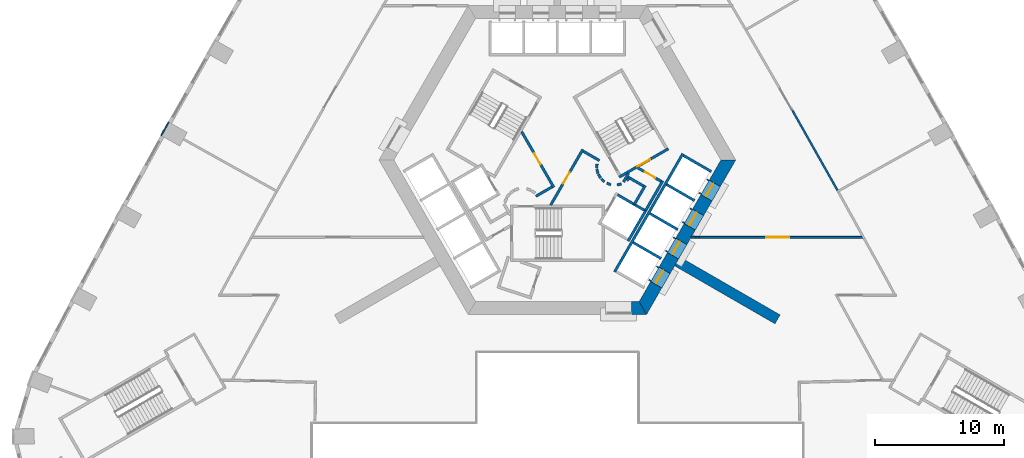
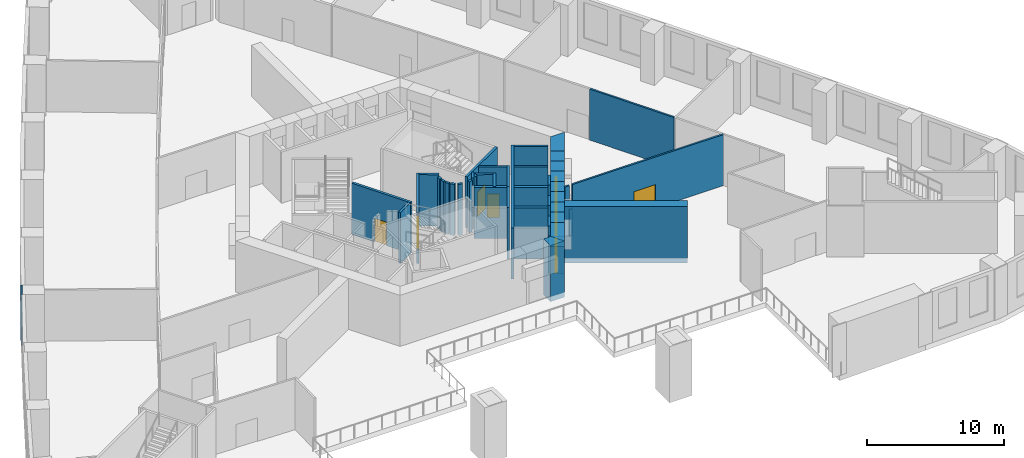
# One storey, part 4 of 16: 44 walls, 9 doors, 9 openings.
"""IFC4 building model written with IfcOpenShell, lengths in metres."""

from ifc_helpers import new_model, si_unit, direction, frame, frame_2d, origin, place, context, subcontext, project, spatial, polyline, rectangle, outline, extrude, material, layer, layer_set, type_object, element, fill, save


model = new_model("IFC4")

# Units and contexts
model_context = context("Model", 3, precision=1e-05, world=origin(), true_north=direction((0.0, 1.0)))
body_context = subcontext(model_context, "Body", "Model", "MODEL_VIEW")
ifc_project = project(units=[si_unit("LENGTHUNIT", "METRE"), si_unit("AREAUNIT", "SQUARE_METRE"), si_unit("VOLUMEUNIT", "CUBIC_METRE"), si_unit("PLANEANGLEUNIT", "RADIAN"), si_unit("MASSUNIT", "GRAM", prefix="KILO")], contexts=[model_context])

# Site, building, storey
site_placement = place(None, origin())
site = spatial("IfcSite", under=ifc_project, at=site_placement, CompositionType="ELEMENT")
building_placement = place(site_placement, origin())
building = spatial("IfcBuilding", under=site, at=building_placement, Name="Entoto Arch Interchange Tower", CompositionType="ELEMENT")
storey_placement = place(building_placement, frame((0.0, 0.0, 25.0)))
storey = spatial("IfcBuildingStorey", under=building, at=storey_placement, Name="L04", CompositionType="ELEMENT", Elevation=25.0)

# Walls
ifc_material_1 = material(Name="Concrete C60/75", Category="concrete")
ifc_layer_1 = layer(ifc_material_1, 0.800048828125)
ifc_layer_set_1 = layer_set([ifc_layer_1], Name="Concrete C60/75")
wall_type_1 = type_object("IfcWallType", Name="Buttress wall 800 C60/75", PredefinedType="SHEAR", material=ifc_layer_set_1)
wall_1_placement = place(storey_placement, frame((9.31005859375, -5.375, -0.449951171875), z_axis=(0.0, 0.0, 1.0), x_axis=(0.866017533419, -0.500013631625, 0.0)))
element("IfcWall", 1, at=wall_1_placement, inside=storey, type_object=wall_type_1, Name="Buttress wall SE L04", PredefinedType="SHEAR", context=body_context, shape_type="SweptSolid", body=[
    extrude(rectangle(XDim=8.999755859375, YDim=0.800048828125, at=frame_2d((4.5, 0.0))), origin(), (0.0, 0.0, 1.0), 5.0),
])
ifc_layer_2 = layer(ifc_material_1, 1.0)
ifc_layer_set_2 = layer_set([ifc_layer_2], Name="Concrete C60/75")
wall_type_2 = type_object("IfcWallType", Name="Core wall 1000 C60/75", PredefinedType="SHEAR", material=ifc_layer_set_2)
wall_2_placement = place(storey_placement, frame((0.0, 0.0, -0.449951171875)))
element("IfcWall", 2, at=wall_2_placement, inside=storey, type_object=wall_type_2, Name="Core wall S L04", PredefinedType="SHEAR", context=body_context, shape_type="SweptSolid", body=[
    extrude(outline(polyline([(5.75, -8.5), (5.75, -9.5), (6.927978515625, -9.5), (6.35107421875, -8.5), (5.75, -8.5)])), origin(), (0.0, 0.0, 1.0), 5.0),
])
wall_3_placement = place(storey_placement, frame((0.0, 0.0, -0.449951171875)))
element("IfcWall", 3, at=wall_3_placement, inside=storey, type_object=wall_type_2, Name="Core wall SE L04", PredefinedType="SHEAR", context=body_context, shape_type="SweptSolid", body=[
    extrude(outline(polyline([(8.116943359375, -7.43994140625), (7.251953125, -6.93994140625), (6.35107421875, -8.5), (6.927978515625, -9.5), (8.116943359375, -7.43994140625)])), origin(), (0.0, 0.0, 1.0), 5.0),
])
wall_4_placement = place(storey_placement, frame((0.0, 0.0, -0.449951171875)))
element("IfcWall", 4, at=wall_4_placement, inside=storey, type_object=wall_type_2, Name="Core wall SE L04", PredefinedType="SHEAR", context=body_context, shape_type="SweptSolid", body=[
    extrude(outline(polyline([(9.4169921875, -5.18896484375), (8.551025390625, -4.68896484375), (7.902099609375, -5.81396484375), (8.76708984375, -6.31396484375), (9.4169921875, -5.18896484375)])), origin(), (0.0, 0.0, 1.0), 5.0),
])
wall_5_placement = place(storey_placement, frame((0.0, 0.0, -0.449951171875)))
element("IfcWall", 5, at=wall_5_placement, inside=storey, type_object=wall_type_2, Name="Core wall SE L04", PredefinedType="SHEAR", context=body_context, shape_type="SweptSolid", body=[
    extrude(outline(polyline([(10.717041015625, -2.93701171875), (9.85107421875, -2.43701171875), (9.200927734375, -3.56298828125), (10.06689453125, -4.06298828125), (10.717041015625, -2.93701171875)])), origin(), (0.0, 0.0, 1.0), 5.0),
])
wall_6_placement = place(storey_placement, frame((0.0, 0.0, -0.449951171875)))
element("IfcWall", 6, at=wall_6_placement, inside=storey, type_object=wall_type_2, Name="Core wall SE L04", PredefinedType="SHEAR", context=body_context, shape_type="SweptSolid", body=[
    extrude(outline(polyline([(12.01708984375, -0.68603515625), (11.15087890625, -0.18603515625), (10.5009765625, -1.31103515625), (11.366943359375, -1.81103515625), (12.01708984375, -0.68603515625)])), origin(), (0.0, 0.0, 1.0), 5.0),
])
wall_7_placement = place(storey_placement, frame((0.0, 0.0, -0.449951171875)))
element("IfcWall", 7, at=wall_7_placement, inside=storey, type_object=wall_type_2, Name="Core wall SE L04", PredefinedType="SHEAR", context=body_context, shape_type="SweptSolid", body=[
    extrude(outline(polyline([(11.801025390625, 0.93994140625), (12.6669921875, 0.43994140625), (13.85595703125, 2.5), (12.701904296875, 2.5), (11.801025390625, 0.93994140625)])), origin(), (0.0, 0.0, 1.0), 5.0),
])
wall_8_placement = place(storey_placement, frame((0.0, 0.0, 3.60009765625)))
element("IfcWall", 8, at=wall_8_placement, inside=storey, type_object=wall_type_2, Name="Core wall lintel SE L04", PredefinedType="SHEAR", context=body_context, shape_type="SweptSolid", body=[
    extrude(outline(polyline([(8.76708984375, -6.31396484375), (7.902099609375, -5.81396484375), (7.251953125, -6.93994140625), (8.116943359375, -7.43994140625), (8.76708984375, -6.31396484375)])), origin(), (0.0, 0.0, 1.0), 0.949951171875),
])
wall_9_placement = place(storey_placement, frame((0.0, 0.0, 3.60009765625)))
element("IfcWall", 9, at=wall_9_placement, inside=storey, type_object=wall_type_2, Name="Core wall lintel SE L04", PredefinedType="SHEAR", context=body_context, shape_type="SweptSolid", body=[
    extrude(outline(polyline([(10.06689453125, -4.06298828125), (9.200927734375, -3.56298828125), (8.551025390625, -4.68896484375), (9.4169921875, -5.18896484375), (10.06689453125, -4.06298828125)])), origin(), (0.0, 0.0, 1.0), 0.949951171875),
])
wall_10_placement = place(storey_placement, frame((0.0, 0.0, 3.60009765625)))
element("IfcWall", 10, at=wall_10_placement, inside=storey, type_object=wall_type_2, Name="Core wall lintel SE L04", PredefinedType="SHEAR", context=body_context, shape_type="SweptSolid", body=[
    extrude(outline(polyline([(11.366943359375, -1.81103515625), (10.5009765625, -1.31103515625), (9.85107421875, -2.43701171875), (10.717041015625, -2.93701171875), (11.366943359375, -1.81103515625)])), origin(), (0.0, 0.0, 1.0), 0.949951171875),
])
wall_11_placement = place(storey_placement, frame((0.0, 0.0, 3.60009765625)))
element("IfcWall", 11, at=wall_11_placement, inside=storey, type_object=wall_type_2, Name="Core wall lintel SE L04", PredefinedType="SHEAR", context=body_context, shape_type="SweptSolid", body=[
    extrude(outline(polyline([(12.6669921875, 0.43994140625), (11.801025390625, 0.93994140625), (11.15087890625, -0.18603515625), (12.01708984375, -0.68603515625), (12.6669921875, 0.43994140625)])), origin(), (0.0, 0.0, 1.0), 0.949951171875),
])

# Wall, opening, door
ifc_material_2 = material(Name="Concrete C40/50", Category="concrete")
ifc_layer_3 = layer(ifc_material_2, 1.199951171875)
ifc_layer_set_3 = layer_set([ifc_layer_3], Name="Concrete C40/50")
wall_type_3 = type_object("IfcWallType", Name="LIFT LANDING INFILL WALL", PredefinedType="STANDARD", material=ifc_layer_set_3)
wall_12_placement = place(storey_placement, frame((7.597900390625, -7.139892578125, 0.0), z_axis=(0.0, 0.0, 1.0), x_axis=(0.500362116554, 0.865816234728, 0.0)))
wall_12 = element("IfcWall", 12, at=wall_12_placement, inside=storey, type_object=wall_type_3, Name="Lift landing infill wall LR5 L04", PredefinedType="STANDARD", context=body_context, shape_type="SweptSolid", body=[
    extrude(rectangle(XDim=1.29931640625, YDim=1.199951171875, at=frame_2d((0.649658203125, 0.0))), origin(), (0.0, 0.0, 1.0), 2.39990234375),
])
opening_1_placement = place(wall_12_placement, frame((0.10009765625, 0.0, 0.0)))
opening_1 = element("IfcOpeningElement", 13, at=opening_1_placement, cuts=wall_12, Name="Opening LD-LR5-L04", PredefinedType="OPENING", context=body_context, shape_type="SweptSolid", body=[
    extrude(rectangle(XDim=1.10009765625, YDim=2.300048828125, at=frame_2d((0.550048828125, 1.14990234375))), frame((0.0, 0.60986328125, 0.0), z_axis=(0.0, -1.0, 0.0), x_axis=(1.0, 0.0, 0.0)), (0.0, 0.0, 1.0), 1.219970703125),
])
ifc_material_3 = material(Name="Stainless steel 1.4301 panels", Category="steel")
door_type_1 = type_object("IfcDoorType", Name="LIFT LANDING DOOR LD2 1100x2300", OperationType="SLIDING_TO_LEFT", PredefinedType="DOOR", material=ifc_material_3)
door_1_placement = place(opening_1_placement, origin())
door_1 = element("IfcDoor", 14, at=door_1_placement, inside=storey, type_object=door_type_1, Name="Lift landing door LR5 L04", OperationType="SLIDING_TO_LEFT", OverallHeight=2.300048828125, OverallWidth=1.10009765625, PredefinedType="DOOR", context=body_context, shape_type="SweptSolid", body=[
    extrude(rectangle(XDim=1.10009765625, YDim=2.300048828125, at=frame_2d((0.550048828125, 1.14990234375))), frame((0.0, 0.02490234375, 0.0), z_axis=(0.0, -1.0, 0.0), x_axis=(1.0, 0.0, 0.0)), (0.0, 0.0, 1.0), 0.050048828125),
])
fill(opening_1, door_1)

wall_13_placement = place(storey_placement, frame((8.89794921875, -4.888916015625, 0.0), z_axis=(0.0, 0.0, 1.0), x_axis=(0.500036693733, 0.866004217611, 0.0)))
wall_13 = element("IfcWall", 15, at=wall_13_placement, inside=storey, type_object=wall_type_3, Name="Lift landing infill wall LR6 L04", PredefinedType="STANDARD", context=body_context, shape_type="SweptSolid", body=[
    extrude(rectangle(XDim=1.30029296875, YDim=1.199951171875, at=frame_2d((0.650146484375, 0.0))), origin(), (0.0, 0.0, 1.0), 2.39990234375),
])
opening_2_placement = place(wall_13_placement, frame((0.10009765625, 0.0, 0.0)))
opening_2 = element("IfcOpeningElement", 16, at=opening_2_placement, cuts=wall_13, Name="Opening LD-LR6-L04", PredefinedType="OPENING", context=body_context, shape_type="SweptSolid", body=[
    extrude(rectangle(XDim=1.10009765625, YDim=2.300048828125, at=frame_2d((0.550048828125, 1.14990234375))), frame((0.0, 0.60986328125, 0.0), z_axis=(0.0, -1.0, 0.0), x_axis=(1.0, 0.0, 0.0)), (0.0, 0.0, 1.0), 1.219970703125),
])
door_2_placement = place(opening_2_placement, origin())
door_2 = element("IfcDoor", 17, at=door_2_placement, inside=storey, type_object=door_type_1, Name="Lift landing door LR6 L04", OperationType="SLIDING_TO_LEFT", OverallHeight=2.300048828125, OverallWidth=1.10009765625, PredefinedType="DOOR", context=body_context, shape_type="SweptSolid", body=[
    extrude(rectangle(XDim=1.10009765625, YDim=2.300048828125, at=frame_2d((0.550048828125, 1.14990234375))), frame((0.0, 0.02490234375, 0.0), z_axis=(0.0, -1.0, 0.0), x_axis=(1.0, 0.0, 0.0)), (0.0, 0.0, 1.0), 0.050048828125),
])
fill(opening_2, door_2)

wall_14_placement = place(storey_placement, frame((10.197998046875, -2.636962890625, 0.0), z_axis=(0.0, 0.0, 1.0), x_axis=(0.49989585183, 0.866085525409, 0.0)))
wall_14 = element("IfcWall", 18, at=wall_14_placement, inside=storey, type_object=wall_type_3, Name="Lift landing infill wall LR7 L04", PredefinedType="STANDARD", context=body_context, shape_type="SweptSolid", body=[
    extrude(rectangle(XDim=1.300048828125, YDim=1.199951171875, at=frame_2d((0.64990234375, 0.0))), origin(), (0.0, 0.0, 1.0), 2.39990234375),
])
opening_3_placement = place(wall_14_placement, frame((0.10009765625, 0.0, 0.0)))
opening_3 = element("IfcOpeningElement", 19, at=opening_3_placement, cuts=wall_14, Name="Opening LD-LR7-L04", PredefinedType="OPENING", context=body_context, shape_type="SweptSolid", body=[
    extrude(rectangle(XDim=1.10009765625, YDim=2.300048828125, at=frame_2d((0.550048828125, 1.14990234375))), frame((0.0, 0.60986328125, 0.0), z_axis=(0.0, -1.0, 0.0), x_axis=(1.0, 0.0, 0.0)), (0.0, 0.0, 1.0), 1.219970703125),
])
door_3_placement = place(opening_3_placement, origin())
door_3 = element("IfcDoor", 20, at=door_3_placement, inside=storey, type_object=door_type_1, Name="Lift landing door LR7 L04", OperationType="SLIDING_TO_LEFT", OverallHeight=2.300048828125, OverallWidth=1.10009765625, PredefinedType="DOOR", context=body_context, shape_type="SweptSolid", body=[
    extrude(rectangle(XDim=1.10009765625, YDim=2.300048828125, at=frame_2d((0.550048828125, 1.14990234375))), frame((0.0, 0.02490234375, 0.0), z_axis=(0.0, -1.0, 0.0), x_axis=(1.0, 0.0, 0.0)), (0.0, 0.0, 1.0), 0.050048828125),
])
fill(opening_3, door_3)

wall_15_placement = place(storey_placement, frame((11.498046875, -0.385009765625, 0.0), z_axis=(0.0, 0.0, 1.0), x_axis=(0.500221244143, 0.865897630733, 0.0)))
wall_15 = element("IfcWall", 21, at=wall_15_placement, inside=storey, type_object=wall_type_3, Name="Lift landing infill wall LR8 L04", PredefinedType="STANDARD", context=body_context, shape_type="SweptSolid", body=[
    extrude(rectangle(XDim=1.29931640625, YDim=1.199951171875, at=frame_2d((0.649658203125, 0.0))), origin(), (0.0, 0.0, 1.0), 2.39990234375),
])
opening_4_placement = place(wall_15_placement, frame((0.10009765625, 0.0, 0.0)))
opening_4 = element("IfcOpeningElement", 22, at=opening_4_placement, cuts=wall_15, Name="Opening LD-LR8-L04", PredefinedType="OPENING", context=body_context, shape_type="SweptSolid", body=[
    extrude(rectangle(XDim=1.10009765625, YDim=2.300048828125, at=frame_2d((0.550048828125, 1.14990234375))), frame((0.0, 0.60986328125, 0.0), z_axis=(0.0, -1.0, 0.0), x_axis=(1.0, 0.0, 0.0)), (0.0, 0.0, 1.0), 1.219970703125),
])
door_4_placement = place(opening_4_placement, origin())
door_4 = element("IfcDoor", 23, at=door_4_placement, inside=storey, type_object=door_type_1, Name="Lift landing door LR8 L04", OperationType="SLIDING_TO_LEFT", OverallHeight=2.300048828125, OverallWidth=1.10009765625, PredefinedType="DOOR", context=body_context, shape_type="SweptSolid", body=[
    extrude(rectangle(XDim=1.10009765625, YDim=2.300048828125, at=frame_2d((0.550048828125, 1.14990234375))), frame((0.0, 0.02490234375, 0.0), z_axis=(0.0, -1.0, 0.0), x_axis=(1.0, 0.0, 0.0)), (0.0, 0.0, 1.0), 0.050048828125),
])
fill(opening_4, door_4)

# Walls
ifc_layer_4 = layer(ifc_material_2, 0.199951171875)
ifc_layer_set_4 = layer_set([ifc_layer_4], Name="Concrete C40/50")
wall_type_4 = type_object("IfcWallType", Name="LIFT SHAFT WALL 200", PredefinedType="STANDARD", material=ifc_layer_set_4)
wall_16_placement = place(storey_placement, frame((5.491943359375, -3.7880859375, 0.0), z_axis=(0.0, 0.0, 1.0), x_axis=(0.500011755427, 0.866018616679, 0.0)))
element("IfcWall", 24, at=wall_16_placement, inside=storey, type_object=wall_type_4, Name="Shaft wall SE1 back", PredefinedType="STANDARD", context=body_context, shape_type="SweptSolid", body=[
    extrude(rectangle(XDim=2.80029296875, YDim=0.199951171875, at=frame_2d((1.400146484375, 0.0))), origin(), (0.0, 0.0, 1.0), 4.550048828125),
])
wall_17_placement = place(storey_placement, frame((4.677001953125, -0.199951171875, 0.0), z_axis=(0.0, 0.0, 1.0), x_axis=(0.865973769406, -0.500089422704, 0.0)))
element("IfcWall", 25, at=wall_17_placement, inside=storey, type_object=wall_type_4, Name="Shaft wall SE1 cross 2", PredefinedType="STANDARD", context=body_context, shape_type="SweptSolid", body=[
    extrude(rectangle(XDim=2.3994140625, YDim=0.199951171875, at=frame_2d((1.19970703125, 0.0))), origin(), (0.0, 0.0, 1.0), 4.550048828125),
])
wall_18_placement = place(storey_placement, frame((4.450927734375, -6.18994140625, 0.0), z_axis=(0.0, 0.0, 1.0), x_axis=(0.50000090737, 0.866024879913, 0.0)))
element("IfcWall", 26, at=wall_18_placement, inside=storey, type_object=wall_type_4, Name="Shaft wall SE3 front", PredefinedType="STANDARD", context=body_context, shape_type="SweptSolid", body=[
    extrude(rectangle(XDim=10.60009765625, YDim=0.199951171875, at=frame_2d((5.300048828125, 0.0))), origin(), (0.0, 0.0, 1.0), 4.550048828125),
])
for number, where, z_axis, x_axis, name in (
    (27, (5.887939453125, -3.902099609375, 0.0), (0.0, 0.0, 1.0), (0.866022959057, -0.500004234368, 0.0), "Shaft wall SE3 cross 2"),
    (28, (7.18798828125, -1.64990234375, 0.0), (0.0, 0.0, 1.0), (0.866022959057, -0.500004234368, 0.0), "Shaft wall SE3 cross 3"),
    (29, (8.488037109375, 0.60205078125, 0.0), (0.0, 0.0, 1.0), (0.866022959057, -0.500004234368, 0.0), "Shaft wall SE3 cross 4"),
):
    element("IfcWall", number, at=place(storey_placement, frame(where, z_axis=z_axis, x_axis=x_axis)), inside=storey, type_object=wall_type_4, Name=name, PredefinedType="STANDARD", context=body_context, shape_type="SweptSolid", body=[
        extrude(rectangle(XDim=2.5, YDim=0.199951171875, at=frame_2d((1.25, 0.0))), origin(), (0.0, 0.0, 1.0), 4.550048828125),
    ])
wall_19_placement = place(storey_placement, frame((9.7880859375, 2.85302734375, 0.0), z_axis=(0.0, 0.0, 1.0), x_axis=(0.865998541277, -0.500046524342, 0.0)))
element("IfcWall", 30, at=wall_19_placement, inside=storey, type_object=wall_type_4, Name="Shaft wall SE3 cross 5", PredefinedType="STANDARD", context=body_context, shape_type="SweptSolid", body=[
    extrude(rectangle(XDim=2.499755859375, YDim=0.199951171875, at=frame_2d((1.25, 0.0))), origin(), (0.0, 0.0, 1.0), 4.550048828125),
])
ifc_material_4 = material(Name="Gypsum board partition on steel studs", Category="steel")
ifc_layer_5 = layer(ifc_material_4, 0.14990234375)
ifc_layer_set_5 = layer_set([ifc_layer_5], Name="Gypsum board partition on steel studs")
wall_type_5 = type_object("IfcWallType", Name="PARTITION 150", PredefinedType="PARTITIONING", material=ifc_layer_set_5)
wall_20_placement = place(storey_placement, frame((21.763916015625, 0.14599609375, 0.0), z_axis=(0.0, 0.0, 1.0), x_axis=(-0.491550482328, 0.87084908183, 0.0)))
element("IfcWall", 31, at=wall_20_placement, inside=storey, type_object=wall_type_5, Name="wall:L04:p054", PredefinedType="PARTITIONING", context=body_context, shape_type="SweptSolid", body=[
    extrude(rectangle(XDim=7.144775390625, YDim=0.14990234375, at=frame_2d((3.572265625, 0.0))), origin(), (0.0, 0.0, 1.0), 4.550048828125),
])
wall_21_placement = place(storey_placement, frame((10.39208984375, -3.5, 0.0), z_axis=(0.0, 0.0, 1.0), x_axis=(1.0, 0.0, 0.0)))
element("IfcWall", 32, at=wall_21_placement, inside=storey, type_object=wall_type_5, Name="wall:L04:p084", PredefinedType="PARTITIONING", context=body_context, shape_type="SweptSolid", body=[
    extrude(rectangle(XDim=0.370849609375, YDim=0.14990234375, at=frame_2d((0.185546875, 0.0))), origin(), (0.0, 0.0, 1.0), 4.550048828125),
])
wall_22_placement = place(storey_placement, frame((10.762939453125, -3.5, 0.0), z_axis=(0.0, 0.0, 1.0), x_axis=(1.0, 0.0, 0.0)))
element("IfcWall", 33, at=wall_22_placement, inside=storey, type_object=wall_type_5, Name="wall:L04:p084", PredefinedType="PARTITIONING", context=body_context, shape_type="SweptSolid", body=[
    extrude(rectangle(XDim=0.2490234375, YDim=0.14990234375, at=frame_2d((0.12451171875, 0.0))), origin(), (0.0, 0.0, 1.0), 2.39990234375),
])

# Wall, opening, door
wall_23_placement = place(storey_placement, frame((11.011962890625, -3.5, 0.0), z_axis=(0.0, 0.0, 1.0), x_axis=(1.0, 0.0, 0.0)))
wall_23 = element("IfcWall", 34, at=wall_23_placement, inside=storey, type_object=wall_type_5, Name="wall:L04:p084", PredefinedType="PARTITIONING", context=body_context, shape_type="SweptSolid", body=[
    extrude(rectangle(XDim=12.76513671875, YDim=0.14990234375, at=frame_2d((6.382568359375, 0.0))), origin(), (0.0, 0.0, 1.0), 4.550048828125),
])
opening_5_placement = place(wall_23_placement, frame((5.2099609375, 0.0, 0.0)))
opening_5 = element("IfcOpeningElement", 35, at=opening_5_placement, cuts=wall_23, Name="Opening L04-D01", PredefinedType="OPENING", context=body_context, shape_type="SweptSolid", body=[
    extrude(rectangle(XDim=1.800048828125, YDim=2.10009765625, at=frame_2d((0.89990234375, 1.050048828125))), frame((0.0, 0.0849609375, 0.0), z_axis=(0.0, -1.0, 0.0), x_axis=(1.0, 0.0, 0.0)), (0.0, 0.0, 1.0), 0.169921875),
])
ifc_material_5 = material(Name="Fire-rated Steel S235 door and frame", Category="steel")
door_type_2 = type_object("IfcDoorType", Name="DOOR FD-18 1800x2100", OperationType="DOUBLE_DOOR_SINGLE_SWING", PredefinedType="DOOR", material=ifc_material_5)
door_5_placement = place(opening_5_placement, origin())
door_5 = element("IfcDoor", 36, at=door_5_placement, inside=storey, type_object=door_type_2, Name="door:L04:01", OperationType="DOUBLE_DOOR_SINGLE_SWING", OverallHeight=2.10009765625, OverallWidth=1.800048828125, PredefinedType="DOOR", context=body_context, shape_type="SweptSolid", body=[
    extrude(rectangle(XDim=1.800048828125, YDim=2.10009765625, at=frame_2d((0.89990234375, 1.050048828125))), frame((0.0, 0.02490234375, 0.0), z_axis=(0.0, -1.0, 0.0), x_axis=(1.0, 0.0, 0.0)), (0.0, 0.0, 1.0), 0.050048828125),
])
fill(opening_5, door_5)

# Walls
ifc_layer_6 = layer(ifc_material_4, 0.199951171875)
ifc_layer_set_6 = layer_set([ifc_layer_6], Name="Gypsum board partition on steel studs")
wall_type_6 = type_object("IfcWallType", Name="PARTITION 200", PredefinedType="PARTITIONING", material=ifc_layer_set_6)
wall_24_placement = place(storey_placement, frame((5.389892578125, 0.89794921875, 0.0), z_axis=(0.0, 0.0, 1.0), x_axis=(0.673828488714, 0.738887791073, 0.0)))
element("IfcWall", 37, at=wall_24_placement, inside=storey, type_object=wall_type_6, Name="wall:L04:p001", PredefinedType="PARTITIONING", context=body_context, shape_type="SweptSolid", body=[
    extrude(rectangle(XDim=0.2626953125, YDim=0.199951171875, at=frame_2d((0.13134765625, 0.0))), origin(), (0.0, 0.0, 1.0), 4.550048828125),
])
wall_25_placement = place(storey_placement, frame((5.4990234375, 1.172119140625, 0.0), z_axis=(0.0, 0.0, 1.0), x_axis=(0.866333505267, -0.499465972466, 0.0)))
element("IfcWall", 38, at=wall_25_placement, inside=storey, type_object=wall_type_6, Name="wall:L04:p002", PredefinedType="PARTITIONING", context=body_context, shape_type="SweptSolid", body=[
    extrude(rectangle(XDim=1.37353515625, YDim=0.199951171875, at=frame_2d((0.686767578125, 0.0))), origin(), (0.0, 0.0, 1.0), 4.550048828125),
])
wall_26_placement = place(storey_placement, frame((6.825927734375, 0.52197265625, 0.0), z_axis=(0.0, 0.0, 1.0), x_axis=(-0.500016722714, -0.866015748706, 0.0)))
element("IfcWall", 39, at=wall_26_placement, inside=storey, type_object=wall_type_6, Name="wall:L04:p003", PredefinedType="PARTITIONING", context=body_context, shape_type="SweptSolid", body=[
    extrude(rectangle(XDim=1.69970703125, YDim=0.199951171875, at=frame_2d((0.849853515625, 0.0))), origin(), (0.0, 0.0, 1.0), 4.550048828125),
])
wall_27_placement = place(storey_placement, frame((8.19189453125, 0.887939453125, 0.0), z_axis=(0.0, 0.0, 1.0), x_axis=(-0.499940625693, -0.866059680843, 0.0)))
element("IfcWall", 40, at=wall_27_placement, inside=storey, type_object=wall_type_6, Name="wall:L04:p004", PredefinedType="PARTITIONING", context=body_context, shape_type="SweptSolid", body=[
    extrude(rectangle(XDim=2.679931640625, YDim=0.199951171875, at=frame_2d((1.33984375, 0.0))), origin(), (0.0, 0.0, 1.0), 4.550048828125),
])
wall_28_placement = place(storey_placement, frame((5.135009765625, 0.79296875, 0.0), z_axis=(0.0, 0.0, 1.0), x_axis=(0.499526442893, 0.866298639529, 0.0)))
element("IfcWall", 41, at=wall_28_placement, inside=storey, type_object=wall_type_6, Name="wall:L04:p005", PredefinedType="PARTITIONING", context=body_context, shape_type="SweptSolid", body=[
    extrude(rectangle(XDim=0.790771484375, YDim=0.199951171875, at=frame_2d((0.3955078125, 0.0))), origin(), (0.0, 0.0, 1.0), 4.550048828125),
])

# Wall, opening, door
wall_29_placement = place(storey_placement, frame((6.25, 1.89404296875, 0.0), z_axis=(0.0, 0.0, 1.0), x_axis=(0.866043184279, -0.499969202016, 0.0)))
wall_29 = element("IfcWall", 42, at=wall_29_placement, inside=storey, type_object=wall_type_6, Name="wall:L04:p006", PredefinedType="PARTITIONING", context=body_context, shape_type="SweptSolid", body=[
    extrude(rectangle(XDim=2.084228515625, YDim=0.199951171875, at=frame_2d((1.0419921875, 0.0))), origin(), (0.0, 0.0, 1.0), 4.550048828125),
])
opening_6_placement = place(wall_29_placement, frame((0.64208984375, 0.0, 0.0)))
opening_6 = element("IfcOpeningElement", 43, at=opening_6_placement, cuts=wall_29, Name="Opening L04-D16", PredefinedType="OPENING", context=body_context, shape_type="SweptSolid", body=[
    extrude(rectangle(XDim=0.89990234375, YDim=2.10009765625, at=frame_2d((0.449951171875, 1.050048828125))), frame((0.0, 0.10986328125, 0.0), z_axis=(0.0, -1.0, 0.0), x_axis=(1.0, 0.0, 0.0)), (0.0, 0.0, 1.0), 0.219970703125),
])
ifc_material_6 = material(Name="Timber door leaf in Steel S235 frame", Category="steel")
door_type_3 = type_object("IfcDoorType", Name="DOOR DS-09 900x2100", OperationType="SINGLE_SWING_LEFT", PredefinedType="DOOR", material=ifc_material_6)
door_6_placement = place(opening_6_placement, origin())
door_6 = element("IfcDoor", 44, at=door_6_placement, inside=storey, type_object=door_type_3, Name="door:L04:16", OperationType="SINGLE_SWING_LEFT", OverallHeight=2.10009765625, OverallWidth=0.89990234375, PredefinedType="DOOR", context=body_context, shape_type="SweptSolid", body=[
    extrude(rectangle(XDim=0.89990234375, YDim=2.10009765625, at=frame_2d((0.449951171875, 1.050048828125))), frame((0.0, 0.02490234375, 0.0), z_axis=(0.0, -1.0, 0.0), x_axis=(1.0, 0.0, 0.0)), (0.0, 0.0, 1.0), 0.050048828125),
])
fill(opening_6, door_6)

# Walls
wall_30_placement = place(storey_placement, frame((3.0791015625, 2.198974609375, 0.0), z_axis=(0.0, 0.0, 1.0), x_axis=(-0.047771483479, -0.998858290933, 0.0)))
element("IfcWall", 45, at=wall_30_placement, inside=storey, type_object=wall_type_6, Name="wall:L04:p016", PredefinedType="PARTITIONING", context=body_context, shape_type="SweptSolid", body=[
    extrude(rectangle(XDim=0.33740234375, YDim=0.199951171875, at=frame_2d((0.168701171875, 0.0))), origin(), (0.0, 0.0, 1.0), 4.550048828125),
])
wall_31_placement = place(storey_placement, frame((3.070068359375, 1.785888671875, 0.0), z_axis=(0.0, 0.0, 1.0), x_axis=(0.242705583207, -0.970099994784, 0.0)))
element("IfcWall", 46, at=wall_31_placement, inside=storey, type_object=wall_type_6, Name="wall:L04:p017", PredefinedType="PARTITIONING", context=body_context, shape_type="SweptSolid", body=[
    extrude(rectangle(XDim=0.337890625, YDim=0.199951171875, at=frame_2d((0.1689453125, 0.0))), origin(), (0.0, 0.0, 1.0), 4.550048828125),
])
for number, where, z_axis, x_axis, name in (
    (47, (3.181884765625, 1.387939453125, 0.0), (0.0, 0.0, 1.0), (0.512474702713, -0.85870232274, 0.0), "wall:L04:p018"),
    (48, (3.404052734375, 1.0390625, 0.0), (0.0, 0.0, 1.0), (0.740267097712, -0.672312891476, 0.0), "wall:L04:p019"),
):
    element("IfcWall", number, at=place(storey_placement, frame(where, z_axis=z_axis, x_axis=x_axis)), inside=storey, type_object=wall_type_6, Name=name, PredefinedType="PARTITIONING", context=body_context, shape_type="SweptSolid", body=[
        extrude(rectangle(XDim=0.337646484375, YDim=0.199951171875, at=frame_2d((0.1689453125, 0.0))), origin(), (0.0, 0.0, 1.0), 4.550048828125),
    ])
wall_32_placement = place(storey_placement, frame((3.837890625, 0.701904296875, 0.0), z_axis=(0.0, 0.0, 1.0), x_axis=(0.941035081519, -0.338308993895, 0.0)))
element("IfcWall", 49, at=wall_32_placement, inside=storey, type_object=wall_type_6, Name="wall:L04:p020", PredefinedType="PARTITIONING", context=body_context, shape_type="SweptSolid", body=[
    extrude(rectangle(XDim=0.3369140625, YDim=0.199951171875, at=frame_2d((0.16845703125, 0.0))), origin(), (0.0, 0.0, 1.0), 4.550048828125),
])
wall_33_placement = place(storey_placement, frame((4.64404296875, 0.56396484375, 0.0), z_axis=(0.0, 0.0, 1.0), x_axis=(0.969929076366, 0.243387729394, 0.0)))
element("IfcWall", 50, at=wall_33_placement, inside=storey, type_object=wall_type_6, Name="wall:L04:p021", PredefinedType="PARTITIONING", context=body_context, shape_type="SweptSolid", body=[
    extrude(rectangle(XDim=0.337158203125, YDim=0.199951171875, at=frame_2d((0.16845703125, 0.0))), origin(), (0.0, 0.0, 1.0), 4.550048828125),
])

# Wall, opening, door
wall_34_placement = place(storey_placement, frame((-0.52001953125, -1.0, 0.0), z_axis=(0.0, 0.0, 1.0), x_axis=(0.50011622646, 0.865958290007, 0.0)))
wall_34 = element("IfcWall", 51, at=wall_34_placement, inside=storey, type_object=wall_type_6, Name="wall:L04:p022", PredefinedType="PARTITIONING", context=body_context, shape_type="SweptSolid", body=[
    extrude(rectangle(XDim=4.990966796875, YDim=0.199951171875, at=frame_2d((2.49560546875, 0.0))), origin(), (0.0, 0.0, 1.0), 4.550048828125),
])
opening_7_placement = place(wall_34_placement, frame((1.945068359375, 0.0, 0.0)))
opening_7 = element("IfcOpeningElement", 52, at=opening_7_placement, cuts=wall_34, Name="Opening L04-D14", PredefinedType="OPENING", context=body_context, shape_type="SweptSolid", body=[
    extrude(rectangle(XDim=1.0, YDim=2.10009765625, at=frame_2d((0.5, 1.050048828125))), frame((0.0, 0.10986328125, 0.0), z_axis=(0.0, -1.0, 0.0), x_axis=(1.0, 0.0, 0.0)), (0.0, 0.0, 1.0), 0.219970703125),
])
door_type_4 = type_object("IfcDoorType", Name="DOOR FD-10 1000x2100", OperationType="SINGLE_SWING_LEFT", PredefinedType="DOOR", material=ifc_material_5)
door_7_placement = place(opening_7_placement, origin())
door_7 = element("IfcDoor", 53, at=door_7_placement, inside=storey, type_object=door_type_4, Name="door:L04:14", OperationType="SINGLE_SWING_LEFT", OverallHeight=2.10009765625, OverallWidth=1.0, PredefinedType="DOOR", context=body_context, shape_type="SweptSolid", body=[
    extrude(rectangle(XDim=1.0, YDim=2.10009765625, at=frame_2d((0.5, 1.050048828125))), frame((0.0, 0.02490234375, 0.0), z_axis=(0.0, -1.0, 0.0), x_axis=(1.0, 0.0, 0.0)), (0.0, 0.0, 1.0), 0.050048828125),
])
fill(opening_7, door_7)

# Walls
wall_35_placement = place(storey_placement, frame((2.011962890625, 3.18603515625, 0.0), z_axis=(0.0, 0.0, 1.0), x_axis=(0.865891012941, -0.500232699559, 0.0)))
element("IfcWall", 54, at=wall_35_placement, inside=storey, type_object=wall_type_6, Name="wall:L04:p023", PredefinedType="PARTITIONING", context=body_context, shape_type="SweptSolid", body=[
    extrude(rectangle(XDim=1.449462890625, YDim=0.199951171875, at=frame_2d((0.724609375, 0.0))), origin(), (0.0, 0.0, 1.0), 4.550048828125),
])
wall_36_placement = place(storey_placement, frame((-0.412109375, 0.4140625, 0.0), z_axis=(0.0, 0.0, 1.0), x_axis=(-0.866017369001, -0.500013916395, 0.0)))
element("IfcWall", 55, at=wall_36_placement, inside=storey, type_object=wall_type_6, Name="wall:L04:p024", PredefinedType="PARTITIONING", context=body_context, shape_type="SweptSolid", body=[
    extrude(rectangle(XDim=1.4501953125, YDim=0.199951171875, at=frame_2d((0.72509765625, 0.0))), origin(), (0.0, 0.0, 1.0), 4.550048828125),
])

# Wall, opening, door
wall_37_placement = place(storey_placement, frame((-2.77099609375, 4.699951171875, 0.0), z_axis=(0.0, 0.0, 1.0), x_axis=(0.499969479948, -0.866043023828, 0.0)))
wall_37 = element("IfcWall", 56, at=wall_37_placement, inside=storey, type_object=wall_type_6, Name="wall:L04:p031", PredefinedType="PARTITIONING", context=body_context, shape_type="SweptSolid", body=[
    extrude(rectangle(XDim=4.990478515625, YDim=0.199951171875, at=frame_2d((2.4951171875, 0.0))), origin(), (0.0, 0.0, 1.0), 4.550048828125),
])
opening_8_placement = place(wall_37_placement, frame((1.945068359375, 0.0, 0.0)))
opening_8 = element("IfcOpeningElement", 57, at=opening_8_placement, cuts=wall_37, Name="Opening L04-D15", PredefinedType="OPENING", context=body_context, shape_type="SweptSolid", body=[
    extrude(rectangle(XDim=1.0, YDim=2.10009765625, at=frame_2d((0.5, 1.050048828125))), frame((0.0, 0.10986328125, 0.0), z_axis=(0.0, -1.0, 0.0), x_axis=(1.0, 0.0, 0.0)), (0.0, 0.0, 1.0), 0.219970703125),
])
door_8_placement = place(opening_8_placement, origin())
door_8 = element("IfcDoor", 58, at=door_8_placement, inside=storey, type_object=door_type_4, Name="door:L04:15", OperationType="SINGLE_SWING_RIGHT", OverallHeight=2.10009765625, OverallWidth=1.0, PredefinedType="DOOR", context=body_context, shape_type="SweptSolid", body=[
    extrude(rectangle(XDim=1.0, YDim=2.10009765625, at=frame_2d((0.5, 1.050048828125))), frame((0.0, 0.02490234375, 0.0), z_axis=(0.0, -1.0, 0.0), x_axis=(1.0, 0.0, 0.0)), (0.0, 0.0, 1.0), 0.050048828125),
])
fill(opening_8, door_8)

ifc_layer_7 = layer(ifc_material_2, 0.199951171875)
ifc_layer_set_7 = layer_set([ifc_layer_7], Name="Concrete C40/50")
wall_type_7 = type_object("IfcWallType", Name="STAIR ENCLOSURE WALL 200", PredefinedType="STANDARD", material=ifc_layer_set_7)
wall_38_placement = place(storey_placement, frame((4.805908203125, 1.176025390625, 0.0), z_axis=(0.0, 0.0, 1.0), x_axis=(0.866059941101, 0.499940174841, 0.0)))
wall_38 = element("IfcWall", 59, at=wall_38_placement, inside=storey, type_object=wall_type_7, Name="Stair wall ST-NE near", PredefinedType="STANDARD", context=body_context, shape_type="SweptSolid", body=[
    extrude(rectangle(XDim=4.400390625, YDim=0.199951171875, at=frame_2d((2.2001953125, 0.0))), origin(), (0.0, 0.0, 1.0), 4.550048828125),
])
opening_9_placement = place(wall_38_placement, frame((1.64990234375, 0.0, 0.0)))
opening_9 = element("IfcOpeningElement", 60, at=opening_9_placement, cuts=wall_38, Name="Opening SD-ST-NE-L04-E", PredefinedType="OPENING", context=body_context, shape_type="SweptSolid", body=[
    extrude(rectangle(XDim=1.10009765625, YDim=2.199951171875, at=frame_2d((0.550048828125, 1.10009765625))), frame((0.0, 0.10986328125, 0.0), z_axis=(0.0, -1.0, 0.0), x_axis=(1.0, 0.0, 0.0)), (0.0, 0.0, 1.0), 0.219970703125),
])
ifc_material_7 = material(Name="Steel S235", Category="steel")
door_type_5 = type_object("IfcDoorType", Name="STAIR DOOR SD1 1100x2200", OperationType="SINGLE_SWING_LEFT", PredefinedType="DOOR", material=ifc_material_7)
door_9_placement = place(opening_9_placement, origin())
door_9 = element("IfcDoor", 61, at=door_9_placement, inside=storey, type_object=door_type_5, Name="Stair door ST-NE L04 end", OperationType="SINGLE_SWING_LEFT", OverallHeight=2.199951171875, OverallWidth=1.10009765625, PredefinedType="DOOR", context=body_context, shape_type="SweptSolid", body=[
    extrude(rectangle(XDim=1.10009765625, YDim=2.199951171875, at=frame_2d((0.550048828125, 1.10009765625))), frame((0.0, 0.02490234375, 0.0), z_axis=(0.0, -1.0, 0.0), x_axis=(1.0, 0.0, 0.0)), (0.0, 0.0, 1.0), 0.050048828125),
])
fill(opening_9, door_9)

# Wall
ifc_material_8 = material(Name="Welded tuff (ignimbrite) cladding, warm buff", Category="masonry")
ifc_layer_8 = layer(ifc_material_8, 0.10009765625)
ifc_layer_set_8 = layer_set([ifc_layer_8], Name="Welded tuff (ignimbrite) cladding, warm buff")
wall_type_8 = type_object("IfcWallType", Name="STONE PIER CLADDING 100", PredefinedType="STANDARD", material=ifc_layer_set_8)
wall_39_placement = place(storey_placement, frame((-30.199951171875, 5.449951171875, 0.0), z_axis=(0.0, 0.0, 1.0), x_axis=(-0.486817526853, -0.873503689488, 0.0)))
element("IfcWall", 62, at=wall_39_placement, inside=storey, type_object=wall_type_8, Name="Stone pier NW07 L04", PredefinedType="STANDARD", context=body_context, shape_type="SweptSolid", body=[
    extrude(rectangle(XDim=1.19970703125, YDim=0.10009765625, at=frame_2d((0.599853515625, 0.0))), origin(), (0.0, 0.0, 1.0), 4.550048828125),
])

save(model, "model.ifc")
